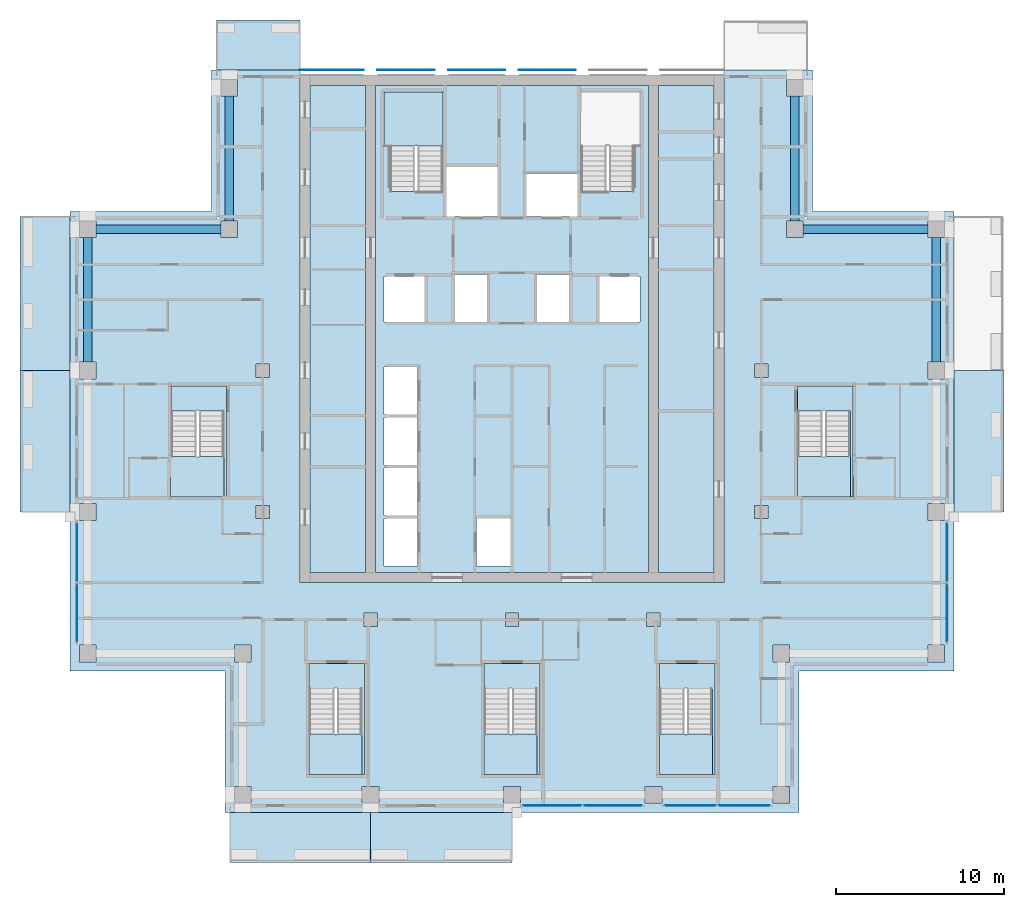
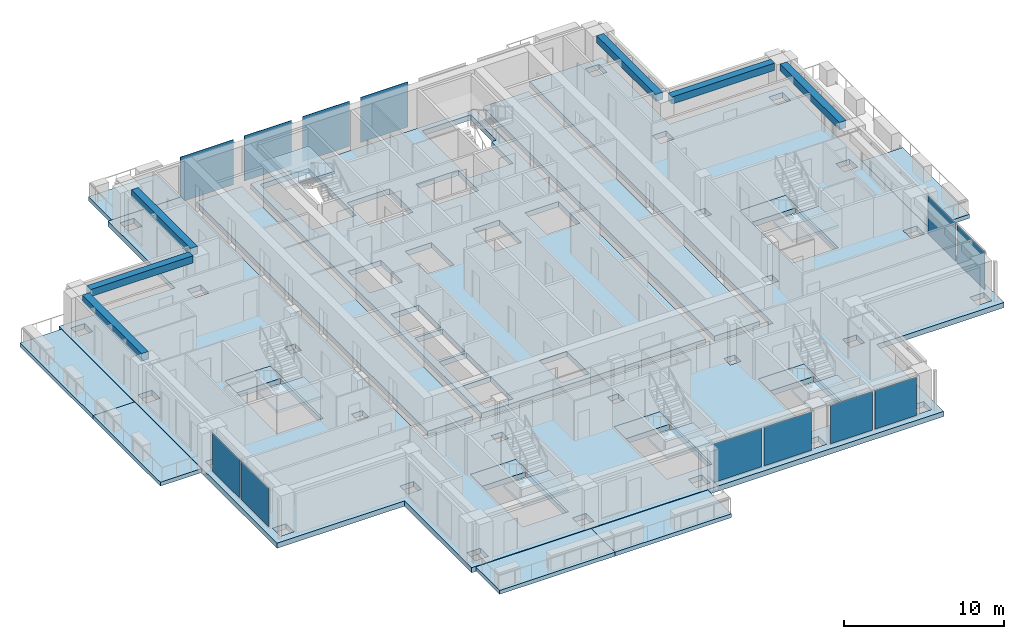
# One storey, part 5 of 17: 21 slabs, 12 plates, 6 beams, 10 elements without a shape of their own.
"""IFC4 building model written with IfcOpenShell, lengths in metres."""

from ifc_helpers import new_model, si_unit, direction, frame, origin, origin_2d, place, context, subcontext, project, spatial, polyline, rectangle, outline, extrude, material, layer, layer_set, material_profile, profile_set, type_object, element, aggregate, save


model = new_model("IFC4")

# Units and contexts
model_context = context("Model", 3, precision=1e-05, world=origin(), true_north=direction((0.0, 1.0)))
body_context = subcontext(model_context, "Body", "Model", "MODEL_VIEW")
ifc_project = project(units=[si_unit("LENGTHUNIT", "METRE"), si_unit("AREAUNIT", "SQUARE_METRE"), si_unit("VOLUMEUNIT", "CUBIC_METRE"), si_unit("PLANEANGLEUNIT", "RADIAN"), si_unit("MASSUNIT", "GRAM", prefix="KILO")], contexts=[model_context])

# Site, building, storey
site_placement = place(None, origin())
site = spatial("IfcSite", under=ifc_project, at=site_placement, CompositionType="ELEMENT")
building_placement = place(site_placement, origin())
building = spatial("IfcBuilding", under=site, at=building_placement, Name="Vermilion Ogive Tower", CompositionType="ELEMENT")
storey_placement = place(building_placement, frame((0.0, 0.0, 196.25)))
storey = spatial("IfcBuildingStorey", under=building, at=storey_placement, Name="L51", CompositionType="ELEMENT", Elevation=196.25)

# Beams
ifc_material_1 = material(Name="Concrete B45", Category="concrete")
ifc_material_profile = material_profile(ifc_material_1, rectangle(XDim=0.5, YDim=0.550048828125, at=origin_2d()), Name="500 x 550")
ifc_profile_set = profile_set([ifc_material_profile], Name="Concrete B45")
beam_type = type_object("IfcBeamType", Name="Edge beam 500 x 550 B45", PredefinedType="BEAM", material=ifc_profile_set)
beam_1_placement = place(storey_placement, frame((25.199951171875, 4.699951171875, 2.77490234375), z_axis=(0.0, 1.0, 0.0), x_axis=(-1.0, 0.0, 0.0)))
element("IfcBeam", 1, at=beam_1_placement, inside=storey, type_object=beam_type, Name="L51-EB-9", PredefinedType="BEAM", context=body_context, shape_type="SweptSolid", body=[
    extrude(rectangle(XDim=0.5, YDim=0.550048828125, at=origin_2d()), origin(), (0.0, 0.0, 1.0), 7.400146484375),
])
for number, where, z_axis, x_axis, name in (
    (2, (24.699951171875, 12.60009765625, 2.77490234375), (-1.0, 0.0, 0.0), (0.0, -1.0, 0.0), "L51-EB-10"),
    (3, (16.800048828125, 13.10009765625, 2.77490234375), (0.0, 1.0, 0.0), (-1.0, 0.0, 0.0), "L51-EB-11"),
    (4, (-16.800048828125, 20.5, 2.77490234375), (0.0, -1.0, 0.0), (1.0, 0.0, 0.0), "L51-EB-12"),
    (5, (-17.300048828125, 12.60009765625, 2.77490234375), (-1.0, 0.0, 0.0), (0.0, -1.0, 0.0), "L51-EB-13"),
):
    element("IfcBeam", number, at=place(storey_placement, frame(where, z_axis=z_axis, x_axis=x_axis)), inside=storey, type_object=beam_type, Name=name, PredefinedType="BEAM", context=body_context, shape_type="SweptSolid", body=[
        extrude(rectangle(XDim=0.5, YDim=0.550048828125, at=origin_2d()), origin(), (0.0, 0.0, 1.0), 7.39990234375),
    ])
beam_2_placement = place(storey_placement, frame((-25.199951171875, 12.10009765625, 2.77490234375), z_axis=(0.0, -1.0, 0.0), x_axis=(1.0, 0.0, 0.0)))
element("IfcBeam", 6, at=beam_2_placement, inside=storey, type_object=beam_type, Name="L51-EB-14", PredefinedType="BEAM", context=body_context, shape_type="SweptSolid", body=[
    extrude(rectangle(XDim=0.5, YDim=0.550048828125, at=origin_2d()), origin(), (0.0, 0.0, 1.0), 7.400146484375),
])

# Slabs
ifc_material_2 = material(Name="Concrete B40", Category="concrete")
ifc_layer_1 = layer(ifc_material_2, 0.300048828125)
ifc_layer_set_1 = layer_set([ifc_layer_1], Name="Balcony slab")
slab_type_1 = type_object("IfcSlabType", Name="Balcony slab", PredefinedType="FLOOR", material=ifc_layer_set_1)
slab_1_placement = place(storey_placement, frame((0.0, 0.0, -0.340087890625)))
element("IfcSlab", 7, at=slab_1_placement, inside=storey, type_object=slab_type_1, Name="Balcony slab S01", PredefinedType="FLOOR", context=body_context, shape_type="SweptSolid", body=[
    extrude(outline(polyline([(-16.75, -25.030029296875), (-8.39990234375, -25.030029296875), (-8.39990234375, -22.050048828125), (-16.75, -22.050048828125), (-16.75, -25.030029296875)])), origin(), (0.0, 0.0, 1.0), 0.300048828125),
])
slab_2_placement = place(storey_placement, frame((0.0, 0.0, -0.340087890625)))
element("IfcSlab", 8, at=slab_2_placement, inside=storey, type_object=slab_type_1, Name="Balcony slab S02", PredefinedType="FLOOR", context=body_context, shape_type="SweptSolid", body=[
    extrude(outline(polyline([(-8.39990234375, -25.030029296875), (0.0, -25.030029296875), (0.0, -22.050048828125), (-8.39990234375, -22.050048828125), (-8.39990234375, -25.030029296875)])), origin(), (0.0, 0.0, 1.0), 0.300048828125),
])
slab_3_placement = place(storey_placement, frame((0.0, 0.0, -0.340087890625)))
element("IfcSlab", 9, at=slab_3_placement, inside=storey, type_object=slab_type_1, Name="Balcony slab E02", PredefinedType="FLOOR", context=body_context, shape_type="SweptSolid", body=[
    extrude(outline(polyline([(29.22998046875, -4.199951171875), (29.22998046875, 4.199951171875), (26.25, 4.199951171875), (26.25, -4.199951171875), (29.22998046875, -4.199951171875)])), origin(), (0.0, 0.0, 1.0), 0.300048828125),
])
slab_4_placement = place(storey_placement, frame((0.0, 0.0, -0.340087890625)))
element("IfcSlab", 10, at=slab_4_placement, inside=storey, type_object=slab_type_1, Name="Balcony slab N201", PredefinedType="FLOOR", context=body_context, shape_type="SweptSolid", body=[
    extrude(outline(polyline([(-12.60009765625, 25.030029296875), (-17.550048828125, 25.030029296875), (-17.550048828125, 22.050048828125), (-12.60009765625, 22.050048828125), (-12.60009765625, 25.030029296875)])), origin(), (0.0, 0.0, 1.0), 0.300048828125),
])
slab_5_placement = place(storey_placement, frame((0.0, 0.0, -0.340087890625)))
element("IfcSlab", 11, at=slab_5_placement, inside=storey, type_object=slab_type_1, Name="Balcony slab W01", PredefinedType="FLOOR", context=body_context, shape_type="SweptSolid", body=[
    extrude(outline(polyline([(-29.22998046875, 13.35009765625), (-29.22998046875, 4.199951171875), (-26.25, 4.199951171875), (-26.25, 13.35009765625), (-29.22998046875, 13.35009765625)])), origin(), (0.0, 0.0, 1.0), 0.300048828125),
])
slab_6_placement = place(storey_placement, frame((0.0, 0.0, -0.340087890625)))
element("IfcSlab", 12, at=slab_6_placement, inside=storey, type_object=slab_type_1, Name="Balcony slab W02", PredefinedType="FLOOR", context=body_context, shape_type="SweptSolid", body=[
    extrude(outline(polyline([(-29.22998046875, 4.199951171875), (-29.22998046875, -4.199951171875), (-26.25, -4.199951171875), (-26.25, 4.199951171875), (-29.22998046875, 4.199951171875)])), origin(), (0.0, 0.0, 1.0), 0.300048828125),
])

# Curtain wall, plates
ifc_material_3 = material(Name="Low-iron laminated glazing in aluminium frame", Category="aluminium")
curtain_wall_type = type_object("IfcCurtainWallType", Name="Curtain wall CW7", PredefinedType="NOTDEFINED", material=ifc_material_3)
curtain_wall_1_placement = place(storey_placement, origin())
curtain_wall_1 = element("IfcCurtainWall", 13, at=curtain_wall_1_placement, inside=storey, type_object=curtain_wall_type, Name="Glazed skin S3", PredefinedType="NOTDEFINED")
ifc_material_4 = material(Name="Low-iron laminated glazing in aluminium frame", Category="aluminium")
ifc_layer_2 = layer(ifc_material_4, 0.031982421875)
ifc_layer_set_2 = layer_set([ifc_layer_2], Name="CW7 glazing panel 32")
plate_type_1 = type_object("IfcPlateType", Name="CW7 glazing panel 32", PredefinedType="CURTAIN_PANEL", material=ifc_layer_set_2)
plate_1_placement = place(storey_placement, frame((2.39501953125, -21.64990234375, 0.06005859375), z_axis=(0.0, 0.0, 1.0), x_axis=(1.0, 0.0, 0.0)))
plate_1 = element("IfcPlate", 14, at=plate_1_placement, type_object=plate_type_1, Name="CW7-S3 panel 1.1", PredefinedType="CURTAIN_PANEL", context=body_context, shape_type="SweptSolid", body=[
    extrude(rectangle(XDim=3.429931640625, YDim=0.031982421875, at=origin_2d()), origin(), (0.0, 0.0, 1.0), 2.929931640625),
])
plate_2_placement = place(storey_placement, frame((6.0048828125, -21.64990234375, 0.06005859375), z_axis=(0.0, 0.0, 1.0), x_axis=(1.0, 0.0, 0.0)))
plate_2 = element("IfcPlate", 15, at=plate_2_placement, type_object=plate_type_1, Name="CW7-S3 panel 2.1", PredefinedType="CURTAIN_PANEL", context=body_context, shape_type="SweptSolid", body=[
    extrude(rectangle(XDim=3.429931640625, YDim=0.031982421875, at=origin_2d()), origin(), (0.0, 0.0, 1.0), 2.929931640625),
])
aggregate(curtain_wall_1, [plate_1, plate_2])

curtain_wall_2_placement = place(storey_placement, origin())
curtain_wall_2 = element("IfcCurtainWall", 16, at=curtain_wall_2_placement, inside=storey, type_object=curtain_wall_type, Name="Glazed skin S4", PredefinedType="NOTDEFINED")
plate_3_placement = place(storey_placement, frame((10.594970703125, -21.64990234375, 0.06005859375), z_axis=(0.0, 0.0, 1.0), x_axis=(1.0, 0.0, 0.0)))
plate_3 = element("IfcPlate", 17, at=plate_3_placement, type_object=plate_type_1, Name="CW7-S4 panel 1.1", PredefinedType="CURTAIN_PANEL", context=body_context, shape_type="SweptSolid", body=[
    extrude(rectangle(XDim=3.030029296875, YDim=0.031982421875, at=origin_2d()), origin(), (0.0, 0.0, 1.0), 2.929931640625),
])
plate_4_placement = place(storey_placement, frame((13.804931640625, -21.64990234375, 0.06005859375), z_axis=(0.0, 0.0, 1.0), x_axis=(1.0, 0.0, 0.0)))
plate_4 = element("IfcPlate", 18, at=plate_4_placement, type_object=plate_type_1, Name="CW7-S4 panel 2.1", PredefinedType="CURTAIN_PANEL", context=body_context, shape_type="SweptSolid", body=[
    extrude(rectangle(XDim=3.030029296875, YDim=0.031982421875, at=origin_2d()), origin(), (0.0, 0.0, 1.0), 2.929931640625),
])
aggregate(curtain_wall_2, [plate_3, plate_4])

curtain_wall_3_placement = place(storey_placement, origin())
curtain_wall_3 = element("IfcCurtainWall", 19, at=curtain_wall_3_placement, inside=storey, type_object=curtain_wall_type, Name="Glazed skin E1", PredefinedType="NOTDEFINED")
plate_5_placement = place(storey_placement, frame((25.85009765625, -10.205078125, 0.06005859375), z_axis=(0.0, 0.0, 1.0), x_axis=(0.0, 1.0, 0.0)))
plate_5 = element("IfcPlate", 20, at=plate_5_placement, type_object=plate_type_1, Name="CW7-E1 panel 1.1", PredefinedType="CURTAIN_PANEL", context=body_context, shape_type="SweptSolid", body=[
    extrude(rectangle(XDim=3.429931640625, YDim=0.031982421875, at=origin_2d()), origin(), (0.0, 0.0, 1.0), 2.929931640625),
])
plate_6_placement = place(storey_placement, frame((25.85009765625, -6.594970703125, 0.06005859375), z_axis=(0.0, 0.0, 1.0), x_axis=(0.0, 1.0, 0.0)))
plate_6 = element("IfcPlate", 21, at=plate_6_placement, type_object=plate_type_1, Name="CW7-E1 panel 2.1", PredefinedType="CURTAIN_PANEL", context=body_context, shape_type="SweptSolid", body=[
    extrude(rectangle(XDim=3.429931640625, YDim=0.031982421875, at=origin_2d()), origin(), (0.0, 0.0, 1.0), 2.929931640625),
])
aggregate(curtain_wall_3, [plate_5, plate_6])

curtain_wall_4_placement = place(storey_placement, origin())
curtain_wall_4 = element("IfcCurtainWall", 22, at=curtain_wall_4_placement, inside=storey, type_object=curtain_wall_type, Name="Glazed skin W3", PredefinedType="NOTDEFINED")
plate_7_placement = place(storey_placement, frame((-25.85009765625, -6.594970703125, 0.06005859375), z_axis=(0.0, 0.0, 1.0), x_axis=(0.0, -1.0, 0.0)))
plate_7 = element("IfcPlate", 23, at=plate_7_placement, type_object=plate_type_1, Name="CW7-W3 panel 1.1", PredefinedType="CURTAIN_PANEL", context=body_context, shape_type="SweptSolid", body=[
    extrude(rectangle(XDim=3.429931640625, YDim=0.031982421875, at=origin_2d()), origin(), (0.0, 0.0, 1.0), 2.929931640625),
])
plate_8_placement = place(storey_placement, frame((-25.85009765625, -10.205078125, 0.06005859375), z_axis=(0.0, 0.0, 1.0), x_axis=(0.0, -1.0, 0.0)))
plate_8 = element("IfcPlate", 24, at=plate_8_placement, type_object=plate_type_1, Name="CW7-W3 panel 2.1", PredefinedType="CURTAIN_PANEL", context=body_context, shape_type="SweptSolid", body=[
    extrude(rectangle(XDim=3.429931640625, YDim=0.031982421875, at=origin_2d()), origin(), (0.0, 0.0, 1.0), 2.929931640625),
])
aggregate(curtain_wall_4, [plate_7, plate_8])

# Slabs
ifc_material_5 = material(Name="Concrete B40", Category="concrete")
ifc_layer_3 = layer(ifc_material_5, 0.39990234375)
ifc_layer_set_3 = layer_set([ifc_layer_3], Name="Core floor slab 400 B40")
slab_type_2 = type_object("IfcSlabType", Name="Core floor slab 400 B40", PredefinedType="FLOOR", material=ifc_layer_set_3)
slab_7_placement = place(storey_placement, frame((0.0, 0.0, -0.39990234375)))
element("IfcSlab", 25, at=slab_7_placement, inside=storey, type_object=slab_type_2, Name="L51-CK-FS1", PredefinedType="FLOOR", context=body_context, shape_type="SweptSolid", body=[
    extrude(outline(polyline([(-11.99609375, 21.14599609375), (-8.7041015625, 21.14599609375), (-8.7041015625, -7.7958984375), (-11.99609375, -7.7958984375), (-11.99609375, 21.14599609375)])), origin(), (0.0, 0.0, 1.0), 0.39990234375),
])
slab_8_placement = place(storey_placement, frame((0.0, 0.0, -0.39990234375)))
element("IfcSlab", 26, at=slab_8_placement, inside=storey, type_object=slab_type_2, Name="L51-CK-FS2", PredefinedType="FLOOR", context=body_context, shape_type="SweptSolid", body=[
    extrude(outline(polyline([(-8.095947265625, -7.7958984375), (8.095947265625, -7.7958984375), (8.095947265625, 21.14599609375), (-8.095947265625, 21.14599609375), (-8.095947265625, -7.7958984375)]), holes=[polyline([(-7.60009765625, -7.39990234375), (-7.60009765625, -4.60009765625), (-5.60009765625, -4.60009765625), (-5.60009765625, -7.39990234375), (-7.60009765625, -7.39990234375)]), polyline([(-7.60009765625, -4.39990234375), (-7.60009765625, -1.60009765625), (-5.60009765625, -1.60009765625), (-5.60009765625, -4.39990234375), (-7.60009765625, -4.39990234375)]), polyline([(-7.60009765625, -1.39990234375), (-7.60009765625, 1.39990234375), (-5.60009765625, 1.39990234375), (-5.60009765625, -1.39990234375), (-7.60009765625, -1.39990234375)]), polyline([(-7.60009765625, 1.60009765625), (-7.60009765625, 4.39990234375), (-5.60009765625, 4.39990234375), (-5.60009765625, 1.60009765625), (-7.60009765625, 1.60009765625)]), polyline([(-7.60009765625, 7.10009765625), (-7.60009765625, 9.800048828125), (-5.199951171875, 9.800048828125), (-5.199951171875, 7.10009765625), (-7.60009765625, 7.10009765625)]), polyline([(-3.39990234375, 9.89990234375), (-1.5, 9.89990234375), (-1.5, 7.10009765625), (-3.39990234375, 7.10009765625), (-3.39990234375, 9.89990234375)]), polyline([(-7.60009765625, 17.550048828125), (-7.60009765625, 20.75), (-4.10009765625, 20.75), (-4.10009765625, 14.85205078125), (-5.60009765625, 14.85205078125), (-5.60009765625, 14.85009765625), (-5.75, 14.85009765625), (-5.75, 14.85205078125), (-7.25, 14.85205078125), (-7.25, 17.550048828125), (-7.60009765625, 17.550048828125)]), polyline([(-2.10009765625, -7.39990234375), (-2.10009765625, -4.60009765625), (-0.10009765625, -4.60009765625), (-0.10009765625, -7.39990234375), (-2.10009765625, -7.39990234375)]), polyline([(5.199951171875, 7.10009765625), (5.199951171875, 9.800048828125), (7.60009765625, 9.800048828125), (7.60009765625, 7.10009765625), (5.199951171875, 7.10009765625)]), polyline([(1.5, 7.10009765625), (1.5, 9.89990234375), (3.39990234375, 9.89990234375), (3.39990234375, 7.10009765625), (1.5, 7.10009765625)]), polyline([(0.85009765625, 13.35009765625), (0.85009765625, 15.89990234375), (3.89990234375, 15.89990234375), (3.89990234375, 13.35009765625), (0.85009765625, 13.35009765625)]), polyline([(-3.89990234375, 16.300048828125), (-0.85009765625, 16.300048828125), (-0.85009765625, 13.35009765625), (-3.89990234375, 13.35009765625), (-3.89990234375, 16.300048828125)]), polyline([(5.75, 14.85009765625), (5.60009765625, 14.85009765625), (5.60009765625, 14.85205078125), (4.10009765625, 14.85205078125), (4.10009765625, 17.550048828125), (4.074951171875, 17.550048828125), (4.074951171875, 20.75), (7.60009765625, 20.75), (7.60009765625, 17.550048828125), (7.25, 17.550048828125), (7.25, 14.85205078125), (5.75, 14.85205078125), (5.75, 14.85009765625)])]), origin(), (0.0, 0.0, 1.0), 0.39990234375),
])
slab_9_placement = place(storey_placement, frame((0.0, 0.0, -0.39990234375)))
element("IfcSlab", 27, at=slab_9_placement, inside=storey, type_object=slab_type_2, Name="L51-CK-FS3", PredefinedType="FLOOR", context=body_context, shape_type="SweptSolid", body=[
    extrude(outline(polyline([(11.99609375, 21.14599609375), (11.99609375, -7.7958984375), (8.7041015625, -7.7958984375), (8.7041015625, 21.14599609375), (11.99609375, 21.14599609375)])), origin(), (0.0, 0.0, 1.0), 0.39990234375),
])
slab_10_placement = place(storey_placement, frame((0.0, 0.0, -0.39990234375)))
element("IfcSlab", 28, at=slab_10_placement, inside=storey, type_object=slab_type_2, Name="L51-SF-ST3-1", PredefinedType="FLOOR", context=body_context, shape_type="SweptSolid", body=[
    extrude(outline(polyline([(-12.050048828125, -13.199951171875), (-12.050048828125, -14.701904296875), (-10.550048828125, -14.701904296875), (-10.550048828125, -14.699951171875), (-10.39990234375, -14.699951171875), (-10.39990234375, -14.701904296875), (-8.89990234375, -14.701904296875), (-8.89990234375, -19.800048828125), (-8.75, -19.800048828125), (-8.75, -13.199951171875), (-12.050048828125, -13.199951171875)])), origin(), (0.0, 0.0, 1.0), 0.39990234375),
])
slab_11_placement = place(storey_placement, frame((0.0, 0.0, -0.39990234375)))
element("IfcSlab", 29, at=slab_11_placement, inside=storey, type_object=slab_type_2, Name="L51-SF-ST4-1", PredefinedType="FLOOR", context=body_context, shape_type="SweptSolid", body=[
    extrude(outline(polyline([(-1.64990234375, -13.199951171875), (-1.64990234375, -14.701904296875), (-0.14990234375, -14.701904296875), (-0.14990234375, -14.699951171875), (0.0, -14.699951171875), (0.0, -14.701904296875), (1.5, -14.701904296875), (1.5, -19.800048828125), (1.64990234375, -19.800048828125), (1.64990234375, -13.199951171875), (-1.64990234375, -13.199951171875)])), origin(), (0.0, 0.0, 1.0), 0.39990234375),
])
slab_12_placement = place(storey_placement, frame((0.0, 0.0, -0.39990234375)))
element("IfcSlab", 30, at=slab_12_placement, inside=storey, type_object=slab_type_2, Name="L51-SF-ST5-1", PredefinedType="FLOOR", context=body_context, shape_type="SweptSolid", body=[
    extrude(outline(polyline([(8.75, -13.199951171875), (8.75, -14.701904296875), (10.25, -14.701904296875), (10.25, -14.699951171875), (10.39990234375, -14.699951171875), (10.39990234375, -14.701904296875), (11.89990234375, -14.701904296875), (11.89990234375, -19.800048828125), (12.050048828125, -19.800048828125), (12.050048828125, -13.199951171875), (8.75, -13.199951171875)])), origin(), (0.0, 0.0, 1.0), 0.39990234375),
])
slab_13_placement = place(storey_placement, frame((0.0, 0.0, -0.39990234375)))
element("IfcSlab", 31, at=slab_13_placement, inside=storey, type_object=slab_type_2, Name="L51-SF-ST8-1", PredefinedType="FLOOR", context=body_context, shape_type="SweptSolid", body=[
    extrude(outline(polyline([(16.949951171875, 3.300048828125), (16.949951171875, 1.798095703125), (18.449951171875, 1.798095703125), (18.449951171875, 1.800048828125), (18.60009765625, 1.800048828125), (18.60009765625, 1.798095703125), (20.10009765625, 1.798095703125), (20.10009765625, -3.300048828125), (20.25, -3.300048828125), (20.25, 3.300048828125), (16.949951171875, 3.300048828125)])), origin(), (0.0, 0.0, 1.0), 0.39990234375),
])
slab_14_placement = place(storey_placement, frame((0.0, 0.0, -0.39990234375)))
element("IfcSlab", 32, at=slab_14_placement, inside=storey, type_object=slab_type_2, Name="L51-SF-ST9-1", PredefinedType="FLOOR", context=body_context, shape_type="SweptSolid", body=[
    extrude(outline(polyline([(-20.25, 3.300048828125), (-20.25, 1.798095703125), (-18.75, 1.798095703125), (-18.75, 1.800048828125), (-18.60009765625, 1.800048828125), (-18.60009765625, 1.798095703125), (-17.10009765625, 1.798095703125), (-17.10009765625, -3.300048828125), (-16.949951171875, -3.300048828125), (-16.949951171875, 3.300048828125), (-20.25, 3.300048828125)])), origin(), (0.0, 0.0, 1.0), 0.39990234375),
])

# Plates
ifc_material_6 = material(Name="Low-iron laminated glazing in aluminium frame", Category="aluminium")
ifc_layer_4 = layer(ifc_material_6, 0.031982421875)
ifc_layer_set_4 = layer_set([ifc_layer_4], Name="Glazed rainscreen sheet 32")
plate_type_2 = type_object("IfcPlateType", Name="Glazed rainscreen sheet 32", PredefinedType="SHEET", material=ifc_layer_set_4)
plate_9_placement = place(storey_placement, frame((-10.7099609375, 22.06591796875, -0.39990234375), z_axis=(0.0, 0.0, 1.0), x_axis=(1.0, 0.0, 0.0)))
element("IfcPlate", 33, at=plate_9_placement, inside=storey, type_object=plate_type_2, Name="Glazed rainscreen sheet N1", PredefinedType="SHEET", context=body_context, shape_type="SweptSolid", body=[
    extrude(rectangle(XDim=3.820068359375, YDim=0.031982421875, at=origin_2d()), origin(), (0.0, 0.0, 1.0), 3.449951171875),
])
for number, where, z_axis, x_axis, name in (
    (34, (-6.300048828125, 22.06591796875, -0.39990234375), (0.0, 0.0, 1.0), (1.0, 0.0, 0.0), "Glazed rainscreen sheet N2"),
    (35, (-2.10009765625, 22.06591796875, -0.39990234375), (0.0, 0.0, 1.0), (1.0, 0.0, 0.0), "Glazed rainscreen sheet N3"),
    (36, (2.10009765625, 22.06591796875, -0.39990234375), (0.0, 0.0, 1.0), (1.0, 0.0, 0.0), "Glazed rainscreen sheet N4"),
):
    element("IfcPlate", number, at=place(storey_placement, frame(where, z_axis=z_axis, x_axis=x_axis)), inside=storey, type_object=plate_type_2, Name=name, PredefinedType="SHEET", context=body_context, shape_type="SweptSolid", body=[
        extrude(rectangle(XDim=3.39990234375, YDim=0.031982421875, at=origin_2d()), origin(), (0.0, 0.0, 1.0), 3.449951171875),
    ])

# Slab
ifc_material_7 = material(Name="Concrete B45", Category="concrete")
ifc_layer_5 = layer(ifc_material_7, 0.39990234375)
ifc_layer_set_5 = layer_set([ifc_layer_5], Name="Post-tensioned flat plate 400 B45")
slab_type_3 = type_object("IfcSlabType", Name="Post-tensioned flat plate 400 B45", PredefinedType="FLOOR", material=ifc_layer_set_5)
slab_15_placement = place(storey_placement, frame((0.0, 0.0, -0.39990234375)))
element("IfcSlab", 37, at=slab_15_placement, inside=storey, type_object=slab_type_3, Name="L51-SL-1", PredefinedType="FLOOR", context=body_context, shape_type="SweptSolid", body=[
    extrude(outline(polyline([(-26.25, 13.64990234375), (-26.25, -13.64990234375), (-17.050048828125, -13.64990234375), (-17.050048828125, -22.050048828125), (17.050048828125, -22.050048828125), (17.050048828125, -13.64990234375), (26.25, -13.64990234375), (26.25, 13.64990234375), (17.85009765625, 13.64990234375), (17.85009765625, 22.050048828125), (12.60009765625, 22.050048828125), (12.60009765625, -8.39990234375), (-12.60009765625, -8.39990234375), (-12.60009765625, 22.050048828125), (-17.85009765625, 22.050048828125), (-17.85009765625, 13.64990234375), (-26.25, 13.64990234375)]), holes=[polyline([(24.699951171875, -3.699951171875), (25.699951171875, -3.699951171875), (25.699951171875, -4.699951171875), (24.699951171875, -4.699951171875), (24.699951171875, -3.699951171875)]), polyline([(24.699951171875, -12.10009765625), (25.699951171875, -12.10009765625), (25.699951171875, -13.10009765625), (24.699951171875, -13.10009765625), (24.699951171875, -12.10009765625)]), polyline([(25.699951171875, 13.10009765625), (25.699951171875, 12.10009765625), (24.699951171875, 12.10009765625), (24.699951171875, 13.10009765625), (25.699951171875, 13.10009765625)]), polyline([(25.699951171875, 4.699951171875), (25.699951171875, 3.699951171875), (24.699951171875, 3.699951171875), (24.699951171875, 4.699951171875), (25.699951171875, 4.699951171875)]), polyline([(20.275146484375, -3.2998046875), (20.25, -3.2998046875), (20.25, -3.300048828125), (16.949951171875, -3.300048828125), (16.949951171875, 3.300048828125), (20.25, 3.300048828125), (20.25, -0.89990234375), (20.275146484375, -0.89990234375), (20.275146484375, -3.2998046875)]), polyline([(16.300048828125, 13.10009765625), (17.300048828125, 13.10009765625), (17.300048828125, 12.10009765625), (16.300048828125, 12.10009765625), (16.300048828125, 13.10009765625)]), polyline([(17.300048828125, 21.5), (17.300048828125, 20.5), (16.300048828125, 20.5), (16.300048828125, 21.5), (17.300048828125, 21.5)]), polyline([(15.5, -12.10009765625), (16.5, -12.10009765625), (16.5, -13.10009765625), (15.5, -13.10009765625), (15.5, -12.10009765625)]), polyline([(15.5, -20.5), (16.5, -20.5), (16.5, -21.5), (15.5, -21.5), (15.5, -20.5)]), polyline([(14.39990234375, 4.60009765625), (15.199951171875, 4.60009765625), (15.199951171875, 3.800048828125), (14.39990234375, 3.800048828125), (14.39990234375, 4.60009765625)]), polyline([(15.199951171875, -3.800048828125), (15.199951171875, -4.60009765625), (14.39990234375, -4.60009765625), (14.39990234375, -3.800048828125), (15.199951171875, -3.800048828125)]), polyline([(8.75, -13.199951171875), (12.050048828125, -13.199951171875), (12.050048828125, -19.800048828125), (8.75, -19.800048828125), (8.75, -13.199951171875)]), polyline([(7.89990234375, -20.5), (8.89990234375, -20.5), (8.89990234375, -21.5), (7.89990234375, -21.5), (7.89990234375, -20.5)]), polyline([(8.800048828125, -10.199951171875), (8.800048828125, -11.0), (8.0, -11.0), (8.0, -10.199951171875), (8.800048828125, -10.199951171875)]), polyline([(-1.64990234375, -13.199951171875), (1.64990234375, -13.199951171875), (1.64990234375, -19.800048828125), (-1.64990234375, -19.800048828125), (-1.64990234375, -13.199951171875)]), polyline([(-0.5, -20.5), (0.5, -20.5), (0.5, -21.5), (-0.5, -21.5), (-0.5, -20.5)]), polyline([(-0.39990234375, -10.199951171875), (0.39990234375, -10.199951171875), (0.39990234375, -11.0), (-0.39990234375, -11.0), (-0.39990234375, -10.199951171875)]), polyline([(-8.89990234375, -20.5), (-7.89990234375, -20.5), (-7.89990234375, -21.5), (-8.89990234375, -21.5), (-8.89990234375, -20.5)]), polyline([(-8.800048828125, -10.199951171875), (-8.0, -10.199951171875), (-8.0, -11.0), (-8.800048828125, -11.0), (-8.800048828125, -10.199951171875)]), polyline([(-12.050048828125, -13.199951171875), (-8.75, -13.199951171875), (-8.75, -19.800048828125), (-12.050048828125, -19.800048828125), (-12.050048828125, -13.199951171875)]), polyline([(-15.199951171875, 4.60009765625), (-14.39990234375, 4.60009765625), (-14.39990234375, 3.800048828125), (-15.199951171875, 3.800048828125), (-15.199951171875, 4.60009765625)]), polyline([(-14.39990234375, -3.800048828125), (-14.39990234375, -4.60009765625), (-15.199951171875, -4.60009765625), (-15.199951171875, -3.800048828125), (-14.39990234375, -3.800048828125)]), polyline([(-16.5, -12.10009765625), (-15.5, -12.10009765625), (-15.5, -13.10009765625), (-16.5, -13.10009765625), (-16.5, -12.10009765625)]), polyline([(-16.5, -20.5), (-15.5, -20.5), (-15.5, -21.5), (-16.5, -21.5), (-16.5, -20.5)]), polyline([(-17.300048828125, 13.10009765625), (-16.300048828125, 13.10009765625), (-16.300048828125, 12.10009765625), (-17.300048828125, 12.10009765625), (-17.300048828125, 13.10009765625)]), polyline([(-16.300048828125, 21.5), (-16.300048828125, 20.5), (-17.300048828125, 20.5), (-17.300048828125, 21.5), (-16.300048828125, 21.5)]), polyline([(-20.25, -3.300048828125), (-20.25, -3.2998046875), (-20.275146484375, -3.2998046875), (-20.275146484375, -0.89990234375), (-20.25, -0.89990234375), (-20.25, 3.300048828125), (-16.949951171875, 3.300048828125), (-16.949951171875, -3.300048828125), (-20.25, -3.300048828125)]), polyline([(-24.699951171875, 4.699951171875), (-24.699951171875, 3.699951171875), (-25.699951171875, 3.699951171875), (-25.699951171875, 4.699951171875), (-24.699951171875, 4.699951171875)]), polyline([(-25.699951171875, 13.10009765625), (-24.699951171875, 13.10009765625), (-24.699951171875, 12.10009765625), (-25.699951171875, 12.10009765625), (-25.699951171875, 13.10009765625)]), polyline([(-25.699951171875, -3.699951171875), (-24.699951171875, -3.699951171875), (-24.699951171875, -4.699951171875), (-25.699951171875, -4.699951171875), (-25.699951171875, -3.699951171875)]), polyline([(-25.699951171875, -12.10009765625), (-24.699951171875, -12.10009765625), (-24.699951171875, -13.10009765625), (-25.699951171875, -13.10009765625), (-25.699951171875, -12.10009765625)])]), origin(), (0.0, 0.0, 1.0), 0.39990234375),
])

# Stair, slab
ifc_material_8 = material(Name="Concrete B40", Category="concrete")
stair_type = type_object("IfcStairType", Name="Exit stair 1500", PredefinedType="HALF_TURN_STAIR", material=ifc_material_8)
stair_1_placement = place(storey_placement, origin())
stair_1 = element("IfcStair", 38, at=stair_1_placement, inside=storey, type_object=stair_type, Name="L51 Exit Stair ST1", PredefinedType="HALF_TURN_STAIR")
ifc_material_9 = material(Name="Concrete B40", Category="concrete")
ifc_layer_6 = layer(ifc_material_9, 0.199951171875)
ifc_layer_set_6 = layer_set([ifc_layer_6], Name="Stair landing 200")
slab_type_4 = type_object("IfcSlabType", Name="Stair landing 200", PredefinedType="LANDING", material=ifc_layer_set_6)
slab_16_placement = place(storey_placement, frame((0.0, 0.0, 1.52490234375)))
slab_16 = element("IfcSlab", 39, at=slab_16_placement, type_object=slab_type_4, Name="ST1 landing 1", PredefinedType="LANDING", context=body_context, shape_type="SweptSolid", body=[
    extrude(outline(polyline([(-7.60009765625, 17.550048828125), (-7.25, 17.550048828125), (-7.25, 17.548095703125), (-5.75, 17.548095703125), (-5.75, 17.550048828125), (-5.60009765625, 17.550048828125), (-5.60009765625, 17.548095703125), (-4.10009765625, 17.548095703125), (-4.10009765625, 20.75), (-7.60009765625, 20.75), (-7.60009765625, 17.550048828125)])), origin(), (0.0, 0.0, 1.0), 0.2001953125),
])
aggregate(stair_1, [slab_16])

stair_2_placement = place(storey_placement, origin())
stair_2 = element("IfcStair", 40, at=stair_2_placement, inside=storey, type_object=stair_type, Name="L51 Exit Stair ST3", PredefinedType="HALF_TURN_STAIR")
slab_17_placement = place(storey_placement, frame((0.0, 0.0, 1.52490234375)))
slab_17 = element("IfcSlab", 41, at=slab_17_placement, type_object=slab_type_4, Name="ST3 landing 1", PredefinedType="LANDING", context=body_context, shape_type="SweptSolid", body=[
    extrude(outline(polyline([(-8.75, -17.39990234375), (-8.89990234375, -17.39990234375), (-8.89990234375, -17.39794921875), (-10.39990234375, -17.39794921875), (-10.39990234375, -17.39990234375), (-10.550048828125, -17.39990234375), (-10.550048828125, -17.39794921875), (-12.050048828125, -17.39794921875), (-12.050048828125, -17.402099609375), (-12.0498046875, -17.402099609375), (-12.0498046875, -19.7998046875), (-8.75, -19.7998046875), (-8.75, -17.39990234375)])), origin(), (0.0, 0.0, 1.0), 0.2001953125),
])
aggregate(stair_2, [slab_17])

stair_3_placement = place(storey_placement, origin())
stair_3 = element("IfcStair", 42, at=stair_3_placement, inside=storey, type_object=stair_type, Name="L51 Exit Stair ST4", PredefinedType="HALF_TURN_STAIR")
slab_18_placement = place(storey_placement, frame((0.0, 0.0, 1.52490234375)))
slab_18 = element("IfcSlab", 43, at=slab_18_placement, type_object=slab_type_4, Name="ST4 landing 1", PredefinedType="LANDING", context=body_context, shape_type="SweptSolid", body=[
    extrude(outline(polyline([(1.64990234375, -17.39990234375), (1.5, -17.39990234375), (1.5, -17.39794921875), (0.0, -17.39794921875), (0.0, -17.39990234375), (-0.14990234375, -17.39990234375), (-0.14990234375, -17.39794921875), (-1.64990234375, -17.39794921875), (-1.64990234375, -19.7998046875), (1.64990234375, -19.7998046875), (1.64990234375, -17.39990234375)])), origin(), (0.0, 0.0, 1.0), 0.2001953125),
])
aggregate(stair_3, [slab_18])

stair_4_placement = place(storey_placement, origin())
stair_4 = element("IfcStair", 44, at=stair_4_placement, inside=storey, type_object=stair_type, Name="L51 Exit Stair ST5", PredefinedType="HALF_TURN_STAIR")
slab_19_placement = place(storey_placement, frame((0.0, 0.0, 1.52490234375)))
slab_19 = element("IfcSlab", 45, at=slab_19_placement, type_object=slab_type_4, Name="ST5 landing 1", PredefinedType="LANDING", context=body_context, shape_type="SweptSolid", body=[
    extrude(outline(polyline([(12.0498046875, -17.39990234375), (11.89990234375, -17.39990234375), (11.89990234375, -17.39794921875), (10.39990234375, -17.39794921875), (10.39990234375, -17.39990234375), (10.25, -17.39990234375), (10.25, -17.39794921875), (8.75, -17.39794921875), (8.75, -17.39990234375), (8.75, -17.39990234375), (8.75, -19.7998046875), (12.0498046875, -19.7998046875), (12.0498046875, -17.39990234375)])), origin(), (0.0, 0.0, 1.0), 0.2001953125),
])
aggregate(stair_4, [slab_19])

stair_5_placement = place(storey_placement, origin())
stair_5 = element("IfcStair", 46, at=stair_5_placement, inside=storey, type_object=stair_type, Name="L51 Exit Stair ST8", PredefinedType="HALF_TURN_STAIR")
slab_20_placement = place(storey_placement, frame((0.0, 0.0, 1.52490234375)))
slab_20 = element("IfcSlab", 47, at=slab_20_placement, type_object=slab_type_4, Name="ST8 landing 1", PredefinedType="LANDING", context=body_context, shape_type="SweptSolid", body=[
    extrude(outline(polyline([(20.275146484375, -0.89990234375), (20.10009765625, -0.89990234375), (20.10009765625, -0.89794921875), (18.60009765625, -0.89794921875), (18.60009765625, -0.89990234375), (18.449951171875, -0.89990234375), (18.449951171875, -0.89794921875), (16.949951171875, -0.89794921875), (16.949951171875, -0.902099609375), (16.9501953125, -0.902099609375), (16.9501953125, -3.2998046875), (20.275146484375, -3.2998046875), (20.275146484375, -0.89990234375)])), origin(), (0.0, 0.0, 1.0), 0.2001953125),
])
aggregate(stair_5, [slab_20])

stair_6_placement = place(storey_placement, origin())
stair_6 = element("IfcStair", 48, at=stair_6_placement, inside=storey, type_object=stair_type, Name="L51 Exit Stair ST9", PredefinedType="HALF_TURN_STAIR")
slab_21_placement = place(storey_placement, frame((0.0, 0.0, 1.52490234375)))
slab_21 = element("IfcSlab", 49, at=slab_21_placement, type_object=slab_type_4, Name="ST9 landing 1", PredefinedType="LANDING", context=body_context, shape_type="SweptSolid", body=[
    extrude(outline(polyline([(-16.9501953125, -0.89990234375), (-17.10009765625, -0.89990234375), (-17.10009765625, -0.89794921875), (-18.60009765625, -0.89794921875), (-18.60009765625, -0.89990234375), (-18.75, -0.89990234375), (-18.75, -0.89794921875), (-20.25, -0.89794921875), (-20.25, -0.89990234375), (-20.275146484375, -0.89990234375), (-20.275146484375, -3.2998046875), (-16.9501953125, -3.2998046875), (-16.9501953125, -0.89990234375)])), origin(), (0.0, 0.0, 1.0), 0.2001953125),
])
aggregate(stair_6, [slab_21])

save(model, "model.ifc")
